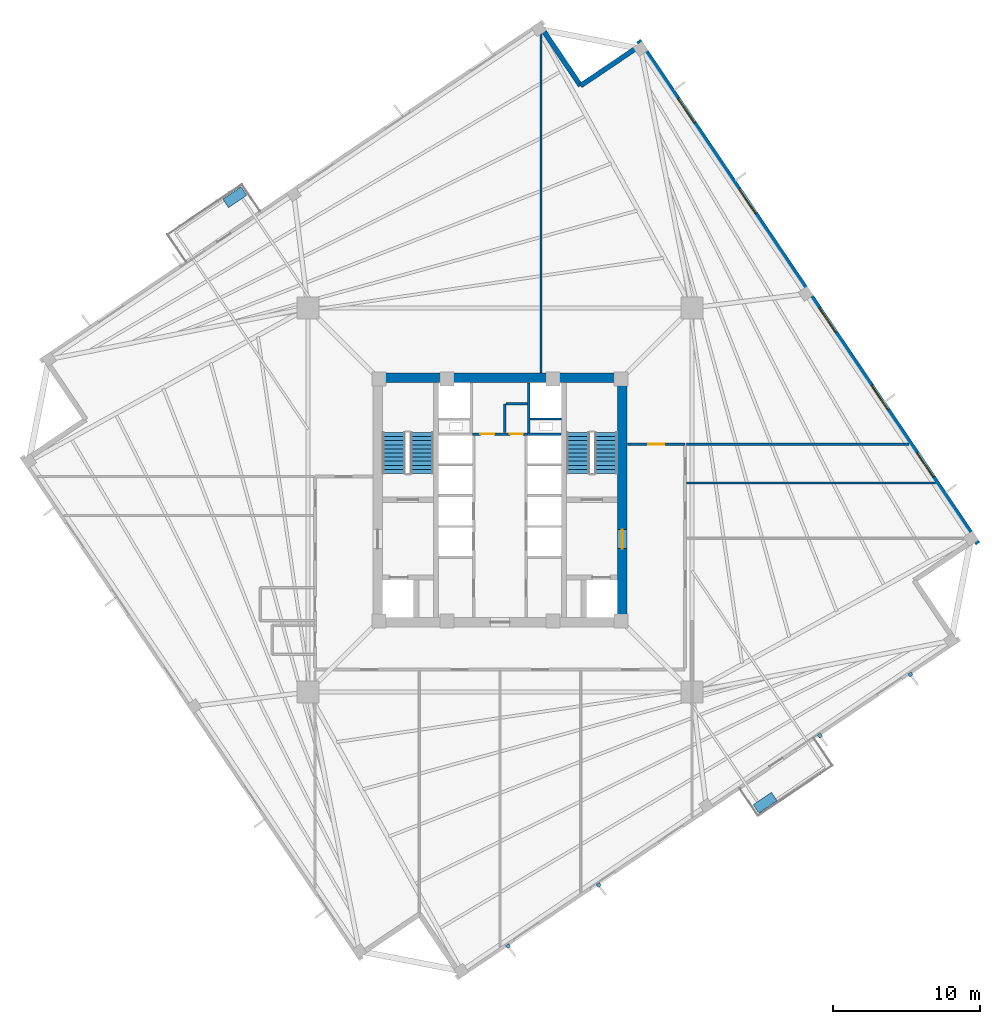
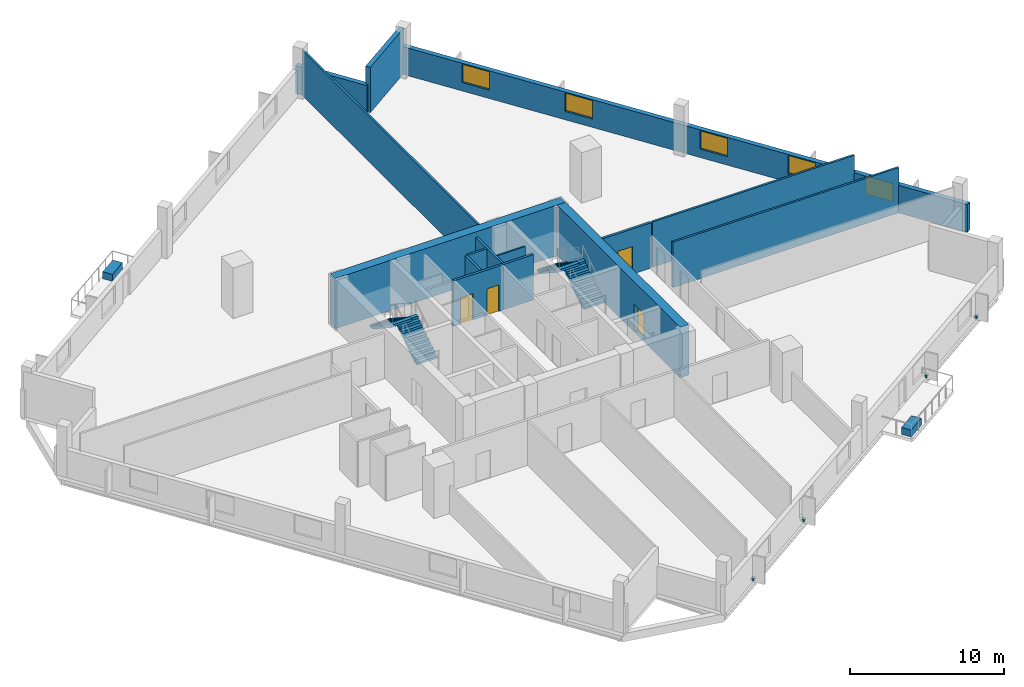
# One storey, part 5 of 8: 15 walls, 6 discrete accessories, 5 windows, 4 doors, 4 stair flights, 9 openings, 2 elements without a shape of their own.
"""IFC4 building model written with IfcOpenShell, lengths in metres."""

from ifc_helpers import new_model, si_unit, direction, frame, frame_2d, origin, origin_2d, place, context, subcontext, project, spatial, polyline, rectangle, outline, extrude, source, transform, mapped, material, layer, layer_set, type_object, element, fill, aggregate, save


model = new_model("IFC4")

# Units and contexts
model_context = context("Model", 3, precision=1e-05, world=origin(), true_north=direction((0.0, 1.0)))
body_context = subcontext(model_context, "Body", "Model", "MODEL_VIEW")
ifc_project = project(units=[si_unit("LENGTHUNIT", "METRE"), si_unit("AREAUNIT", "SQUARE_METRE"), si_unit("VOLUMEUNIT", "CUBIC_METRE"), si_unit("PLANEANGLEUNIT", "RADIAN"), si_unit("MASSUNIT", "GRAM", prefix="KILO"), si_unit("THERMODYNAMICTEMPERATUREUNIT", "KELVIN")], contexts=[model_context])

# Site, building, storey
site_placement = place(None, origin())
site = spatial("IfcSite", under=ifc_project, at=site_placement, CompositionType="ELEMENT")
building_placement = place(site_placement, origin())
building = spatial("IfcBuilding", under=site, at=building_placement, Name="Kosmvard Interchange Tower", CompositionType="ELEMENT")
storey_placement = place(building_placement, frame((0.0, 0.0, 196.39990234375)))
storey = spatial("IfcBuildingStorey", under=building, at=storey_placement, Name="L47", CompositionType="ELEMENT", Elevation=196.39990234375)

# Walls
ifc_material_1 = material(Name="Acoustic gypsum partition system")
ifc_layer_1 = layer(ifc_material_1, 0.14990234375, Name="Acoustic gypsum partition system")
ifc_layer_set_1 = layer_set([ifc_layer_1], Name="Acoustic gypsum partition system")
wall_type_1 = type_object("IfcWallType", Name="Acoustic Suite & Meeting Partition 150", PredefinedType="PARTITIONING", material=ifc_layer_set_1)
wall_1_placement = place(storey_placement, frame((2.800048828125, 8.655029296875, 0.0), z_axis=(0.0, 0.0, 1.0), x_axis=(0.0, 1.0, 0.0)))
element("IfcWall", 1, at=wall_1_placement, inside=storey, type_object=wall_type_1, Name="L47 Room Partition 01.1", PredefinedType="PARTITIONING", context=body_context, shape_type="SweptSolid", body=[
    extrude(rectangle(XDim=23.362060546875, YDim=0.14990234375, at=frame_2d((11.68115234375, 0.0))), origin(), (0.0, 0.0, 1.0), 3.60009765625),
])
wall_2_placement = place(storey_placement, frame((12.695068359375, 1.14990234375, 0.0), z_axis=(0.0, 0.0, 1.0), x_axis=(1.0, 0.0, 0.0)))
element("IfcWall", 2, at=wall_2_placement, inside=storey, type_object=wall_type_1, Name="L47 Room Partition 04.1", PredefinedType="PARTITIONING", context=body_context, shape_type="SweptSolid", body=[
    extrude(rectangle(XDim=16.9560546875, YDim=0.14990234375, at=frame_2d((8.47802734375, 0.0))), origin(), (0.0, 0.0, 1.0), 3.60009765625),
])
wall_3_placement = place(storey_placement, frame((12.695068359375, 3.800048828125, 0.0), z_axis=(0.0, 0.0, 1.0), x_axis=(1.0, 0.0, 0.0)))
element("IfcWall", 3, at=wall_3_placement, inside=storey, type_object=wall_type_1, Name="L47 Room Partition 05.1", PredefinedType="PARTITIONING", context=body_context, shape_type="SweptSolid", body=[
    extrude(rectangle(XDim=15.168701171875, YDim=0.14990234375, at=frame_2d((7.58447265625, 0.0))), origin(), (0.0, 0.0, 1.0), 3.60009765625),
])
ifc_material_2 = material(Name="Fire-rated gypsum partition system")
ifc_layer_2 = layer(ifc_material_2, 0.159912109375, Name="Fire-rated gypsum partition system")
ifc_layer_set_2 = layer_set([ifc_layer_2], Name="Fire-rated gypsum partition system")
wall_type_2 = type_object("IfcWallType", Name="Core Compartment & Shuttle Lobby Partition 160", PredefinedType="PARTITIONING", material=ifc_layer_set_2)
wall_4_placement = place(storey_placement, frame((1.9599609375, 4.580078125, 0.0), z_axis=(0.0, 0.0, 1.0), x_axis=(0.0, 1.0, 0.0)))
element("IfcWall", 4, at=wall_4_placement, inside=storey, type_object=wall_type_2, Name="L47 North Core East Wall", PredefinedType="PARTITIONING", context=body_context, shape_type="SweptSolid", body=[
    extrude(rectangle(XDim=3.39990234375, YDim=0.159912109375, at=frame_2d((1.699951171875, 0.0))), origin(), (0.0, 0.0, 1.0), 3.60009765625),
])
ifc_material_3 = material(Name="Concrete blockwork masonry", Category="masonry")
ifc_layer_3 = layer(ifc_material_3, 0.159912109375, Name="Concrete blockwork masonry")
ifc_layer_set_3 = layer_set([ifc_layer_3], Name="Concrete blockwork masonry")
wall_type_3 = type_object("IfcWallType", Name="Core Enclosure Split Wall 160", PredefinedType="PARTITIONING", material=ifc_layer_set_3)
wall_5_placement = place(storey_placement, frame((0.320068359375, 4.60009765625, 0.0), z_axis=(0.0, 0.0, 1.0), x_axis=(0.0, 1.0, 0.0)))
element("IfcWall", 5, at=wall_5_placement, inside=storey, type_object=wall_type_3, Name="L47 Core K3 L-Wall 1", PredefinedType="PARTITIONING", context=body_context, shape_type="SweptSolid", body=[
    extrude(rectangle(XDim=1.949951171875, YDim=0.159912109375, at=frame_2d((0.97509765625, 0.0))), origin(), (0.0, 0.0, 1.0), 3.60009765625),
])
wall_6_placement = place(storey_placement, frame((0.39990234375, 6.550048828125, 0.0), z_axis=(0.0, 0.0, 1.0), x_axis=(1.0, 0.0, 0.0)))
element("IfcWall", 6, at=wall_6_placement, inside=storey, type_object=wall_type_3, Name="L47 Core K3 L-Wall 2", PredefinedType="PARTITIONING", context=body_context, shape_type="SweptSolid", body=[
    extrude(rectangle(XDim=1.460205078125, YDim=0.159912109375, at=frame_2d((0.72998046875, 0.0))), origin(), (0.0, 0.0, 1.0), 3.60009765625),
])

# Wall, openings, doors
ifc_layer_4 = layer(ifc_material_2, 0.179931640625, Name="Fire-rated gypsum partition system")
ifc_layer_set_4 = layer_set([ifc_layer_4], Name="Fire-rated gypsum partition system")
wall_type_4 = type_object("IfcWallType", Name="Corridor & Hotel Compartment Partition 180", PredefinedType="PARTITIONING", material=ifc_layer_set_4)
wall_7_placement = place(storey_placement, frame((-1.8798828125, 4.489990234375, 0.0), z_axis=(0.0, 0.0, 1.0), x_axis=(1.0, 0.0, 0.0)))
wall_7 = element("IfcWall", 7, at=wall_7_placement, inside=storey, type_object=wall_type_4, Name="L47 Lift Lobby North Partition", PredefinedType="PARTITIONING", context=body_context, shape_type="SweptSolid", body=[
    extrude(rectangle(XDim=3.759765625, YDim=0.179931640625, at=frame_2d((1.8798828125, 0.0))), origin(), (0.0, 0.0, 1.0), 3.60009765625),
])
opening_1_placement = place(wall_7_placement, frame((0.550048828125, 0.0, 0.0)))
opening_1 = element("IfcOpeningElement", 8, at=opening_1_placement, cuts=wall_7, Name="Opening L47-KD1", PredefinedType="OPENING", context=body_context, shape_type="SweptSolid", body=[
    extrude(rectangle(XDim=0.949951171875, YDim=2.10009765625, at=frame_2d((0.47509765625, 1.050048828125))), frame((0.0, 0.10009765625, 0.0), z_axis=(0.0, -1.0, 0.0), x_axis=(1.0, 0.0, 0.0)), (0.0, 0.0, 1.0), 0.199951171875),
])
opening_2_placement = place(wall_7_placement, frame((2.56005859375, 0.0, 0.0)))
opening_2 = element("IfcOpeningElement", 9, at=opening_2_placement, cuts=wall_7, Name="Opening L47-KD2", PredefinedType="OPENING", context=body_context, shape_type="SweptSolid", body=[
    extrude(rectangle(XDim=0.8798828125, YDim=2.10009765625, at=frame_2d((0.43994140625, 1.050048828125))), frame((0.0, 0.10009765625, 0.0), z_axis=(0.0, -1.0, 0.0), x_axis=(1.0, 0.0, 0.0)), (0.0, 0.0, 1.0), 0.199951171875),
])
ifc_material_4 = material(Name="Painted fire-rated timber leaf", Category="wood")
door_type_1 = type_object("IfcDoorType", Name="Core Service Fire Door 950x2100 EI30", OperationType="NOTDEFINED", PredefinedType="DOOR", material=ifc_material_4)
shared_shape_1 = source(origin(), body_context, "Body", "SweptSolid", [
    extrude(rectangle(XDim=0.949951171875, YDim=2.10009765625, at=frame_2d((0.47509765625, 1.050048828125))), frame((0.0, 0.02490234375, 0.0), z_axis=(0.0, -1.0, 0.0), x_axis=(1.0, 0.0, 0.0)), (0.0, 0.0, 1.0), 0.050048828125),
])
door_1_placement = place(opening_1_placement, origin())
door_1 = element("IfcDoor", 10, at=door_1_placement, inside=storey, type_object=door_type_1, Name="L47 Core Archive Store Door", OperationType="SINGLE_SWING_LEFT", OverallHeight=2.10009765625, OverallWidth=0.949951171875, PredefinedType="DOOR", context=body_context, shape_type="MappedRepresentation", body=[
    mapped(shared_shape_1, transform((0.0, 0.0, 0.0), scale=1.0)),
])
fill(opening_1, door_1)
door_type_2 = type_object("IfcDoorType", Name="Core Cupboard Fire Door 880x2100 EI30", OperationType="NOTDEFINED", PredefinedType="DOOR", material=ifc_material_4)
shared_shape_2 = source(origin(), body_context, "Body", "SweptSolid", [
    extrude(rectangle(XDim=0.8798828125, YDim=2.10009765625, at=frame_2d((0.43994140625, 1.050048828125))), frame((0.0, 0.02490234375, 0.0), z_axis=(0.0, -1.0, 0.0), x_axis=(1.0, 0.0, 0.0)), (0.0, 0.0, 1.0), 0.050048828125),
])
door_2_placement = place(opening_2_placement, origin())
door_2 = element("IfcDoor", 11, at=door_2_placement, inside=storey, type_object=door_type_2, Name="L47 Core Supplies Cupboard Door", OperationType="SINGLE_SWING_RIGHT", OverallHeight=2.10009765625, OverallWidth=0.8798828125, PredefinedType="DOOR", context=body_context, shape_type="MappedRepresentation", body=[
    mapped(shared_shape_2, transform((0.0, 0.0, 0.0), scale=1.0)),
])
fill(opening_2, door_2)

# Wall, opening, door
wall_8_placement = place(storey_placement, frame((8.699951171875, 3.800048828125, 0.0), z_axis=(0.0, 0.0, 1.0), x_axis=(1.0, 0.0, 0.0)))
wall_8 = element("IfcWall", 12, at=wall_8_placement, inside=storey, type_object=wall_type_4, Name="L47 Corridor Wall CNE", PredefinedType="PARTITIONING", context=body_context, shape_type="SweptSolid", body=[
    extrude(rectangle(XDim=3.900146484375, YDim=0.179931640625, at=frame_2d((1.9501953125, 0.0))), origin(), (0.0, 0.0, 1.0), 3.60009765625),
])
opening_3_placement = place(wall_8_placement, frame((1.39990234375, 0.0, 0.0)))
opening_3 = element("IfcOpeningElement", 13, at=opening_3_placement, cuts=wall_8, Name="Opening L47-D05", PredefinedType="OPENING", context=body_context, shape_type="SweptSolid", body=[
    extrude(rectangle(XDim=1.10009765625, YDim=2.199951171875, at=frame_2d((0.550048828125, 1.10009765625))), frame((0.0, 0.10009765625, 0.0), z_axis=(0.0, -1.0, 0.0), x_axis=(1.0, 0.0, 0.0)), (0.0, 0.0, 1.0), 0.199951171875),
])
ifc_material_5 = material(Name="Engineered oak fire-rated timber", Category="wood")
door_type_3 = type_object("IfcDoorType", Name="Office Suite Entrance Door 1100x2200 FD30S", OperationType="NOTDEFINED", PredefinedType="DOOR", material=ifc_material_5)
shared_shape_3 = source(origin(), body_context, "Body", "SweptSolid", [
    extrude(rectangle(XDim=1.10009765625, YDim=2.199951171875, at=frame_2d((0.550048828125, 1.10009765625))), frame((0.0, 0.02490234375, 0.0), z_axis=(0.0, -1.0, 0.0), x_axis=(1.0, 0.0, 0.0)), (0.0, 0.0, 1.0), 0.050048828125),
])
door_3_placement = place(opening_3_placement, origin())
door_3 = element("IfcDoor", 14, at=door_3_placement, inside=storey, type_object=door_type_3, Name="L47 Regional Trade Summit Hall Door", OperationType="SINGLE_SWING_LEFT", OverallHeight=2.199951171875, OverallWidth=1.10009765625, PredefinedType="DOOR", context=body_context, shape_type="MappedRepresentation", body=[
    mapped(shared_shape_3, transform((0.0, 0.0, 0.0), scale=1.0)),
])
fill(opening_3, door_3)

# Wall
ifc_material_6 = material(Name="Concrete C70/85", Category="concrete")
ifc_layer_5 = layer(ifc_material_6, 0.64990234375, Name="Concrete C70/85")
ifc_layer_set_5 = layer_set([ifc_layer_5], Name="Concrete C70/85")
wall_type_5 = type_object("IfcWallType", Name="Mid Core Shear Wall 650 C70/85", PredefinedType="SHEAR", material=ifc_layer_set_5)
wall_9_placement = place(storey_placement, frame((-8.64990234375, 8.324951171875, 0.0), z_axis=(0.0, 0.0, 1.0), x_axis=(1.0, 0.0, 0.0)))
element("IfcWall", 15, at=wall_9_placement, inside=storey, type_object=wall_type_5, Name="L47 Core Shear Wall CW-N", PredefinedType="SHEAR", context=body_context, shape_type="SweptSolid", body=[
    extrude(rectangle(XDim=17.2998046875, YDim=0.64990234375, at=frame_2d((8.64990234375, 0.0))), origin(), (0.0, 0.0, 1.0), 4.0),
])

# Wall, opening, door
wall_10_placement = place(storey_placement, frame((8.324951171875, -8.0, 0.0), z_axis=(0.0, 0.0, 1.0), x_axis=(0.0, 1.0, 0.0)))
wall_10 = element("IfcWall", 16, at=wall_10_placement, inside=storey, type_object=wall_type_5, Name="L47 Core Shear Wall CW-E", PredefinedType="SHEAR", context=body_context, shape_type="SweptSolid", body=[
    extrude(rectangle(XDim=16.0, YDim=0.64990234375, at=frame_2d((8.0, 0.0))), origin(), (0.0, 0.0, 1.0), 4.0),
])
opening_4_placement = place(wall_10_placement, frame((4.68994140625, 0.0, 0.0)))
opening_4 = element("IfcOpeningElement", 17, at=opening_4_placement, cuts=wall_10, Name="Opening L47-FD2", PredefinedType="OPENING", context=body_context, shape_type="SweptSolid", body=[
    extrude(rectangle(XDim=1.300048828125, YDim=2.199951171875, at=frame_2d((0.64990234375, 1.10009765625))), frame((0.0, 0.3349609375, 0.0), z_axis=(0.0, -1.0, 0.0), x_axis=(1.0, 0.0, 0.0)), (0.0, 0.0, 1.0), 0.669921875),
])
ifc_material_7 = material(Name="Painted fire-rated steel leaf", Category="steel")
door_type_4 = type_object("IfcDoorType", Name="Firefighting Lobby Door 1300x2200 EI60", OperationType="NOTDEFINED", PredefinedType="DOOR", material=ifc_material_7)
shared_shape_4 = source(origin(), body_context, "Body", "SweptSolid", [
    extrude(rectangle(XDim=1.300048828125, YDim=2.199951171875, at=frame_2d((0.64990234375, 1.10009765625))), frame((0.0, 0.02490234375, 0.0), z_axis=(0.0, -1.0, 0.0), x_axis=(1.0, 0.0, 0.0)), (0.0, 0.0, 1.0), 0.050048828125),
])
door_4_placement = place(opening_4_placement, origin())
door_4 = element("IfcDoor", 18, at=door_4_placement, inside=storey, type_object=door_type_4, Name="L47 Firefighting Lobby East Door", OperationType="SINGLE_SWING_RIGHT", OverallHeight=2.199951171875, OverallWidth=1.300048828125, PredefinedType="DOOR", context=body_context, shape_type="MappedRepresentation", body=[
    mapped(shared_shape_4, transform((0.0, 0.0, 0.0), scale=1.0)),
])
fill(opening_4, door_4)

# Wall, openings, windows
ifc_material_8 = material(Name="Precast concrete C45/55", Category="concrete")
ifc_layer_6 = layer(ifc_material_8, 0.340087890625, Name="Precast concrete C45/55")
ifc_layer_set_6 = layer_set([ifc_layer_6], Name="Precast concrete C45/55")
wall_type_6 = type_object("IfcWallType", Name="Mid Tower Precast Pier Wall 340 C45/55", PredefinedType="STANDARD", material=ifc_layer_set_6)
wall_11_placement = place(storey_placement, frame((32.55810546875, -2.971923828125, 0.0), z_axis=(0.0, 0.0, 1.0), x_axis=(-0.559194910251, 0.829036218961, 0.0)))
wall_11 = element("IfcWall", 19, at=wall_11_placement, inside=storey, type_object=wall_type_6, Name="L47 Precast Facade Wall F-E", PredefinedType="STANDARD", context=body_context, shape_type="SweptSolid", body=[
    extrude(rectangle(XDim=41.340087890625, YDim=0.340087890625, at=frame_2d((20.669921875, 0.0))), origin(), (0.0, 0.0, 1.0), 2.2001953125),
])
opening_5_placement = place(wall_11_placement, frame((5.460693359375, 0.0, 0.669921875)))
opening_5 = element("IfcOpeningElement", 20, at=opening_5_placement, cuts=wall_11, Name="Opening L47-W06", PredefinedType="OPENING", context=body_context, shape_type="SweptSolid", body=[
    extrude(rectangle(XDim=2.0, YDim=1.449951171875, at=frame_2d((1.0, 0.72509765625))), frame((0.0, 0.18017578125, 0.0), z_axis=(0.0, -1.0, 0.0), x_axis=(1.0, 0.0, 0.0)), (0.0, 0.0, 1.0), 0.360107421875),
])
opening_6_placement = place(wall_11_placement, frame((10.988525390625, 0.0, 0.669921875)))
opening_6 = element("IfcOpeningElement", 21, at=opening_6_placement, cuts=wall_11, Name="Opening L47-W07", PredefinedType="OPENING", context=body_context, shape_type="SweptSolid", body=[
    extrude(rectangle(XDim=2.0, YDim=1.449951171875, at=frame_2d((1.0, 0.72509765625))), frame((0.0, 0.18017578125, 0.0), z_axis=(0.0, -1.0, 0.0), x_axis=(1.0, 0.0, 0.0)), (0.0, 0.0, 1.0), 0.360107421875),
])
opening_7_placement = place(wall_11_placement, frame((17.34326171875, 0.0, 0.669921875)))
opening_7 = element("IfcOpeningElement", 22, at=opening_7_placement, cuts=wall_11, Name="Opening L47-W08", PredefinedType="OPENING", context=body_context, shape_type="SweptSolid", body=[
    extrude(rectangle(XDim=2.0, YDim=1.449951171875, at=frame_2d((1.0, 0.72509765625))), frame((0.0, 0.18017578125, 0.0), z_axis=(0.0, -1.0, 0.0), x_axis=(1.0, 0.0, 0.0)), (0.0, 0.0, 1.0), 0.360107421875),
])
opening_8_placement = place(wall_11_placement, frame((27.111083984375, 0.0, 0.669921875)))
opening_8 = element("IfcOpeningElement", 23, at=opening_8_placement, cuts=wall_11, Name="Opening L47-W09", PredefinedType="OPENING", context=body_context, shape_type="SweptSolid", body=[
    extrude(rectangle(XDim=2.0, YDim=1.449951171875, at=frame_2d((1.0, 0.72509765625))), frame((0.0, 0.18017578125, 0.0), z_axis=(0.0, -1.0, 0.0), x_axis=(1.0, 0.0, 0.0)), (0.0, 0.0, 1.0), 0.360107421875),
])
opening_9_placement = place(wall_11_placement, frame((34.552490234375, 0.0, 0.669921875)))
opening_9 = element("IfcOpeningElement", 24, at=opening_9_placement, cuts=wall_11, Name="Opening L47-W10", PredefinedType="OPENING", context=body_context, shape_type="SweptSolid", body=[
    extrude(rectangle(XDim=2.0, YDim=1.449951171875, at=frame_2d((1.0, 0.72509765625))), frame((0.0, 0.18017578125, 0.0), z_axis=(0.0, -1.0, 0.0), x_axis=(1.0, 0.0, 0.0)), (0.0, 0.0, 1.0), 0.360107421875),
])
ifc_material_9 = material(Name="Low-E solar-control double glazing", Category="glass")
window_type = type_object("IfcWindowType", Name="Transfer Zone Punched Window 2000x1450", PartitioningType="SINGLE_PANEL", PredefinedType="WINDOW", material=ifc_material_9)
shared_shape_5 = source(origin(), body_context, "Body", "SweptSolid", [
    extrude(rectangle(XDim=2.0, YDim=1.449951171875, at=frame_2d((1.0, 0.72509765625))), frame((0.0, 0.030029296875, 0.0), z_axis=(0.0, -1.0, 0.0), x_axis=(1.0, 0.0, 0.0)), (0.0, 0.0, 1.0), 0.06005859375),
])
window_1_placement = place(opening_5_placement, origin())
window_1 = element("IfcWindow", 25, at=window_1_placement, inside=storey, type_object=window_type, Name="L47 Facade Punched Window 06", OverallHeight=1.449951171875, OverallWidth=2.0, PartitioningType="SINGLE_PANEL", PredefinedType="WINDOW", context=body_context, shape_type="MappedRepresentation", body=[
    mapped(shared_shape_5, transform((0.0, 0.0, 0.0), scale=1.0)),
])
fill(opening_5, window_1)
window_2_placement = place(opening_6_placement, origin())
window_2 = element("IfcWindow", 26, at=window_2_placement, inside=storey, type_object=window_type, Name="L47 Facade Punched Window 07", OverallHeight=1.449951171875, OverallWidth=2.0, PartitioningType="SINGLE_PANEL", PredefinedType="WINDOW", context=body_context, shape_type="MappedRepresentation", body=[
    mapped(shared_shape_5, transform((0.0, 0.0, 0.0), scale=1.0)),
])
fill(opening_6, window_2)
window_3_placement = place(opening_7_placement, origin())
window_3 = element("IfcWindow", 27, at=window_3_placement, inside=storey, type_object=window_type, Name="L47 Facade Punched Window 08", OverallHeight=1.449951171875, OverallWidth=2.0, PartitioningType="SINGLE_PANEL", PredefinedType="WINDOW", context=body_context, shape_type="MappedRepresentation", body=[
    mapped(shared_shape_5, transform((0.0, 0.0, 0.0), scale=1.0)),
])
fill(opening_7, window_3)
window_4_placement = place(opening_8_placement, origin())
window_4 = element("IfcWindow", 28, at=window_4_placement, inside=storey, type_object=window_type, Name="L47 Facade Punched Window 09", OverallHeight=1.449951171875, OverallWidth=2.0, PartitioningType="SINGLE_PANEL", PredefinedType="WINDOW", context=body_context, shape_type="MappedRepresentation", body=[
    mapped(shared_shape_5, transform((0.0, 0.0, 0.0), scale=1.0)),
])
fill(opening_8, window_4)
window_5_placement = place(opening_9_placement, origin())
window_5 = element("IfcWindow", 29, at=window_5_placement, inside=storey, type_object=window_type, Name="L47 Facade Punched Window 10", OverallHeight=1.449951171875, OverallWidth=2.0, PartitioningType="SINGLE_PANEL", PredefinedType="WINDOW", context=body_context, shape_type="MappedRepresentation", body=[
    mapped(shared_shape_5, transform((0.0, 0.0, 0.0), scale=1.0)),
])
fill(opening_9, window_5)

# Walls
wall_12_placement = place(storey_placement, frame((9.631103515625, 31.018798828125, 0.0), z_axis=(0.0, 0.0, 1.0), x_axis=(-0.829025804298, -0.559210350234, 0.0)))
element("IfcWall", 30, at=wall_12_placement, inside=storey, type_object=wall_type_6, Name="L47 Precast Facade Wall N-NE1", PredefinedType="STANDARD", context=body_context, shape_type="SweptSolid", body=[
    extrude(rectangle(XDim=5.000244140625, YDim=0.340087890625, at=frame_2d((2.5, 0.0))), origin(), (0.0, 0.0, 1.0), 3.60009765625),
])
wall_13_placement = place(storey_placement, frame((5.48583984375, 28.22265625, 0.0), z_axis=(0.0, 0.0, 1.0), x_axis=(-0.559171107879, 0.82905227345, 0.0)))
element("IfcWall", 31, at=wall_13_placement, inside=storey, type_object=wall_type_6, Name="L47 Precast Facade Wall N-NE2", PredefinedType="STANDARD", context=body_context, shape_type="SweptSolid", body=[
    extrude(rectangle(XDim=5.169921875, YDim=0.340087890625, at=frame_2d((2.5849609375, 0.0))), origin(), (0.0, 0.0, 1.0), 2.2001953125),
])
ifc_layer_7 = layer(ifc_material_3, 0.179931640625, Name="Concrete blockwork masonry")
ifc_layer_set_7 = layer_set([ifc_layer_7], Name="Concrete blockwork masonry")
wall_type_7 = type_object("IfcWallType", Name="Riser & Lift Bank Divider Wall 180", PredefinedType="PARTITIONING", material=ifc_layer_set_7)
wall_14_placement = place(storey_placement, frame((1.889892578125, 4.489990234375, 0.0), z_axis=(0.0, 0.0, 1.0), x_axis=(1.0, 0.0, 0.0)))
element("IfcWall", 32, at=wall_14_placement, inside=storey, type_object=wall_type_7, Name="L47 East Bank Divider BD3", PredefinedType="PARTITIONING", context=body_context, shape_type="SweptSolid", body=[
    extrude(rectangle(XDim=2.280029296875, YDim=0.179931640625, at=frame_2d((1.14013671875, 0.0))), origin(), (0.0, 0.0, 1.0), 3.60009765625),
])
ifc_material_10 = material(Name="Fire-rated gypsum shaftwall system")
ifc_layer_8 = layer(ifc_material_10, 0.1201171875, Name="Fire-rated gypsum shaftwall system")
ifc_layer_set_8 = layer_set([ifc_layer_8], Name="Fire-rated gypsum shaftwall system")
wall_type_8 = type_object("IfcWallType", Name="Shaft & Riser Fire Partition 120 EI60", PredefinedType="PARTITIONING", material=ifc_layer_set_8)
wall_15_placement = place(storey_placement, frame((2.06005859375, 5.52001953125, 0.0), z_axis=(0.0, 0.0, 1.0), x_axis=(1.0, 0.0, 0.0)))
element("IfcWall", 33, at=wall_15_placement, inside=storey, type_object=wall_type_8, Name="L47 Riser Shaft Divider E", PredefinedType="PARTITIONING", context=body_context, shape_type="SweptSolid", body=[
    extrude(rectangle(XDim=2.099853515625, YDim=0.1201171875, at=frame_2d((1.0498046875, 0.0))), origin(), (0.0, 0.0, 1.0), 3.60009765625),
])

# Stair, stair flights
ifc_material_11 = material(Name="Concrete C50/60", Category="concrete")
stair_type = type_object("IfcStairType", Name="Dog-Leg Core Exit Stair H4000 C50/60", PredefinedType="HALF_TURN_STAIR", material=ifc_material_11)
stair_1_placement = place(storey_placement, origin())
stair_1 = element("IfcStair", 34, at=stair_1_placement, inside=storey, type_object=stair_type, Name="L47 Protected Exit Stair ST-1", PredefinedType="HALF_TURN_STAIR")
stair_flight_type = type_object("IfcStairFlightType", Name="Core Stair Flight W1550 H4000 C50/60", PredefinedType="STRAIGHT", material=ifc_material_11)
shared_shape_6 = source(origin(), body_context, "Body", "SweptSolid", [
    extrude(outline(polyline([(0.0, 0.0), (0.0, 0.181884765625), (0.280029296875, 0.181884765625), (0.280029296875, 0.363525390625), (0.56005859375, 0.363525390625), (0.56005859375, 0.54541015625), (0.840087890625, 0.54541015625), (0.840087890625, 0.727294921875), (1.1201171875, 0.727294921875), (1.1201171875, 0.9091796875), (1.39990234375, 0.9091796875), (1.39990234375, 1.0908203125), (1.679931640625, 1.0908203125), (1.679931640625, 1.272705078125), (1.9599609375, 1.272705078125), (1.9599609375, 1.45458984375), (2.239990234375, 1.45458984375), (2.239990234375, 1.636474609375), (2.52001953125, 1.636474609375), (2.52001953125, 1.818115234375), (2.800048828125, 1.818115234375), (2.800048828125, 2.0), (2.800048828125, 1.62744140625), (0.293701171875, 0.0), (0.0, 0.0)])), frame((0.0, 0.77490234375, 0.0), z_axis=(0.0, -1.0, 0.0), x_axis=(1.0, 0.0, 0.0)), (0.0, 0.0, 1.0), 1.550048828125),
])
stair_flight_1_placement = place(storey_placement, frame((-5.31494140625, 1.800048828125, 0.0), z_axis=(0.0, 0.0, 1.0), x_axis=(0.0, 1.0, 0.0)))
stair_flight_1 = element("IfcStairFlight", 35, at=stair_flight_1_placement, type_object=stair_flight_type, Name="ST-1 flight 1", NumberOfRisers=11, NumberOfTreads=10, PredefinedType="STRAIGHT", RiserHeight=0.181818182, TreadLength=0.28, context=body_context, shape_type="MappedRepresentation", body=[
    mapped(shared_shape_6, transform((0.0, 0.0, 0.0), scale=1.0)),
])
stair_flight_2_placement = place(storey_placement, frame((-7.22509765625, 4.60009765625, 2.0), z_axis=(0.0, 0.0, 1.0), x_axis=(0.0, -1.0, 0.0)))
stair_flight_2 = element("IfcStairFlight", 36, at=stair_flight_2_placement, type_object=stair_flight_type, Name="ST-1 flight 2", NumberOfRisers=11, NumberOfTreads=10, PredefinedType="STRAIGHT", RiserHeight=0.181818182, TreadLength=0.28, context=body_context, shape_type="MappedRepresentation", body=[
    mapped(shared_shape_6, transform((0.0, 0.0, 0.0), scale=1.0)),
])
aggregate(stair_1, [stair_flight_1, stair_flight_2])

stair_2_placement = place(storey_placement, origin())
stair_2 = element("IfcStair", 37, at=stair_2_placement, inside=storey, type_object=stair_type, Name="L47 Protected Exit Stair ST-2", PredefinedType="HALF_TURN_STAIR")
stair_flight_3_placement = place(storey_placement, frame((7.22509765625, 1.800048828125, 0.0), z_axis=(0.0, 0.0, 1.0), x_axis=(0.0, 1.0, 0.0)))
stair_flight_3 = element("IfcStairFlight", 38, at=stair_flight_3_placement, type_object=stair_flight_type, Name="ST-2 flight 1", NumberOfRisers=11, NumberOfTreads=10, PredefinedType="STRAIGHT", RiserHeight=0.181818182, TreadLength=0.28, context=body_context, shape_type="MappedRepresentation", body=[
    mapped(shared_shape_6, transform((0.0, 0.0, 0.0), scale=1.0)),
])
stair_flight_4_placement = place(storey_placement, frame((5.31494140625, 4.60009765625, 2.0), z_axis=(0.0, 0.0, 1.0), x_axis=(0.0, -1.0, 0.0)))
stair_flight_4 = element("IfcStairFlight", 39, at=stair_flight_4_placement, type_object=stair_flight_type, Name="ST-2 flight 2", NumberOfRisers=11, NumberOfTreads=10, PredefinedType="STRAIGHT", RiserHeight=0.181818182, TreadLength=0.28, context=body_context, shape_type="MappedRepresentation", body=[
    mapped(shared_shape_6, transform((0.0, 0.0, 0.0), scale=1.0)),
])
aggregate(stair_2, [stair_flight_3, stair_flight_4])

# Discrete accessories
ifc_material_12 = material(Name="Terracotta precast planter concrete C45/55", Category="masonry")
discrete_accessory_type_1 = type_object("IfcDiscreteAccessoryType", Name="Precast Tree-Balcony & Terrace Planter Box", PredefinedType="USERDEFINED", material=ifc_material_12)
shared_shape_7 = source(origin(), body_context, "Body", "SweptSolid", [
    extrude(rectangle(XDim=1.5, YDim=0.699951171875, at=origin_2d()), origin(), (0.0, 0.0, 1.0), 0.550048828125),
])
for number, where, z_axis, x_axis, name in (
    (40, (18.0703125, -20.62060546875, 0.0), (0.0, 0.0, 1.0), (0.829037572555, 0.559192903471, 0.0), "L47 Balcony Tree Planter BAL-L47-SW"),
    (41, (-18.0703125, 20.62060546875, 0.0), (0.0, 0.0, 1.0), (0.829037572555, 0.559192903471, 0.0), "L47 Balcony Tree Planter BAL-L47-NE"),
):
    element("IfcDiscreteAccessory", number, at=place(storey_placement, frame(where, z_axis=z_axis, x_axis=x_axis)), inside=storey, type_object=discrete_accessory_type_1, Name=name, ObjectType="PLANTER", PredefinedType="USERDEFINED", context=body_context, shape_type="MappedRepresentation", body=[
        mapped(shared_shape_7, transform((0.0, 0.0, 0.0), scale=1.0)),
    ])
ifc_material_13 = material(Name="Steel S355", Category="steel")
discrete_accessory_type_2 = type_object("IfcDiscreteAccessoryType", Name="Facade Fin Structural Cleat Bracket", PredefinedType="BRACKET", material=ifc_material_13)
shared_shape_8 = source(origin(), body_context, "Body", "SweptSolid", [
    extrude(rectangle(XDim=0.239990234375, YDim=0.260009765625, at=origin_2d()), origin(), (0.0, 0.0, 1.0), 0.179931640625),
])
for number, where, z_axis, x_axis, name in (
    (42, (0.550537109375, -30.38720703125, 0.16015625), (0.0, 0.0, 1.0), (0.559192771654, -0.829037661466, 0.0), "L47 Sun-Breaker Anchor Bracket 01"),
    (43, (6.719482421875, -26.226318359375, 0.16015625), (0.0, 0.0, 1.0), (0.559192771654, -0.829037661466, 0.0), "L47 Sun-Breaker Anchor Bracket 02"),
    (44, (21.79931640625, -16.0546875, 0.16015625), (0.0, 0.0, 1.0), (0.559192771654, -0.829037661466, 0.0), "L47 Sun-Breaker Anchor Bracket 03"),
    (45, (27.968505859375, -11.8935546875, 0.16015625), (0.0, 0.0, 1.0), (0.559192771654, -0.829037661466, 0.0), "L47 Sun-Breaker Anchor Bracket 04"),
):
    element("IfcDiscreteAccessory", number, at=place(storey_placement, frame(where, z_axis=z_axis, x_axis=x_axis)), inside=storey, type_object=discrete_accessory_type_2, Name=name, PredefinedType="BRACKET", context=body_context, shape_type="MappedRepresentation", body=[
        mapped(shared_shape_8, transform((0.0, 0.0, 0.0), scale=1.0)),
    ])

save(model, "model.ifc")
